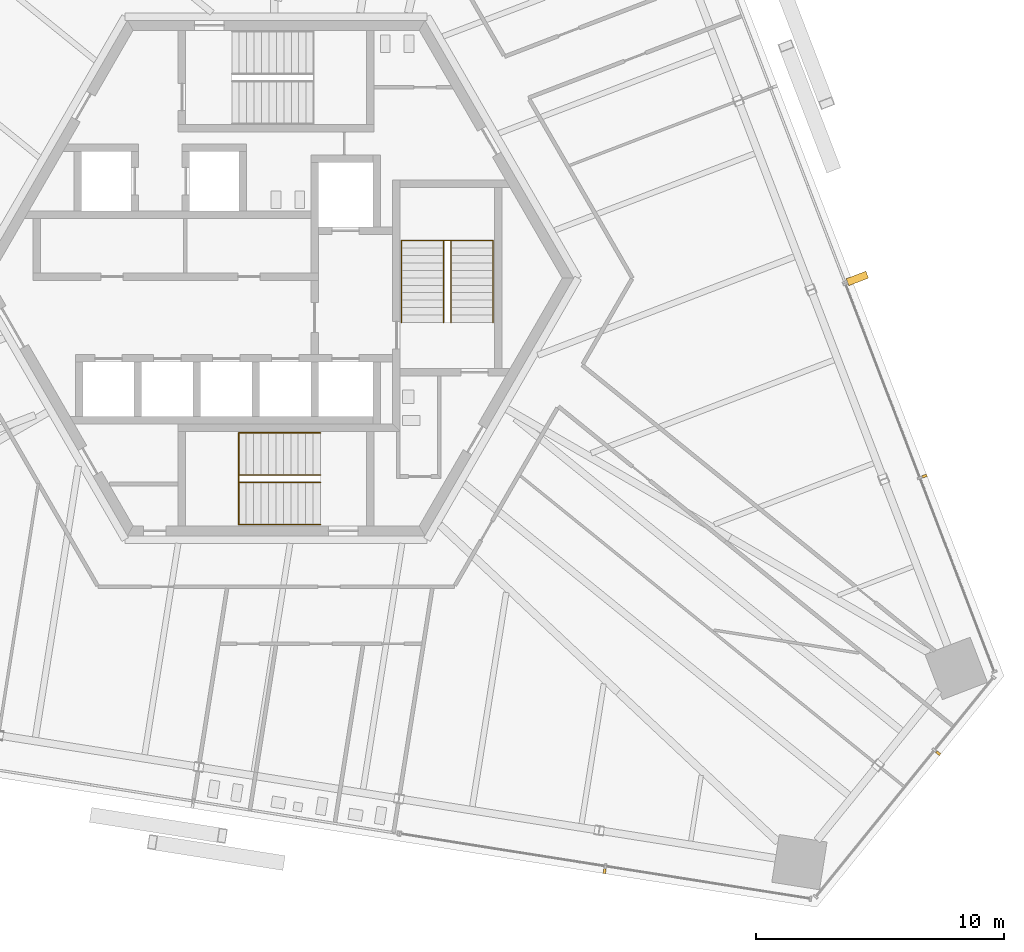
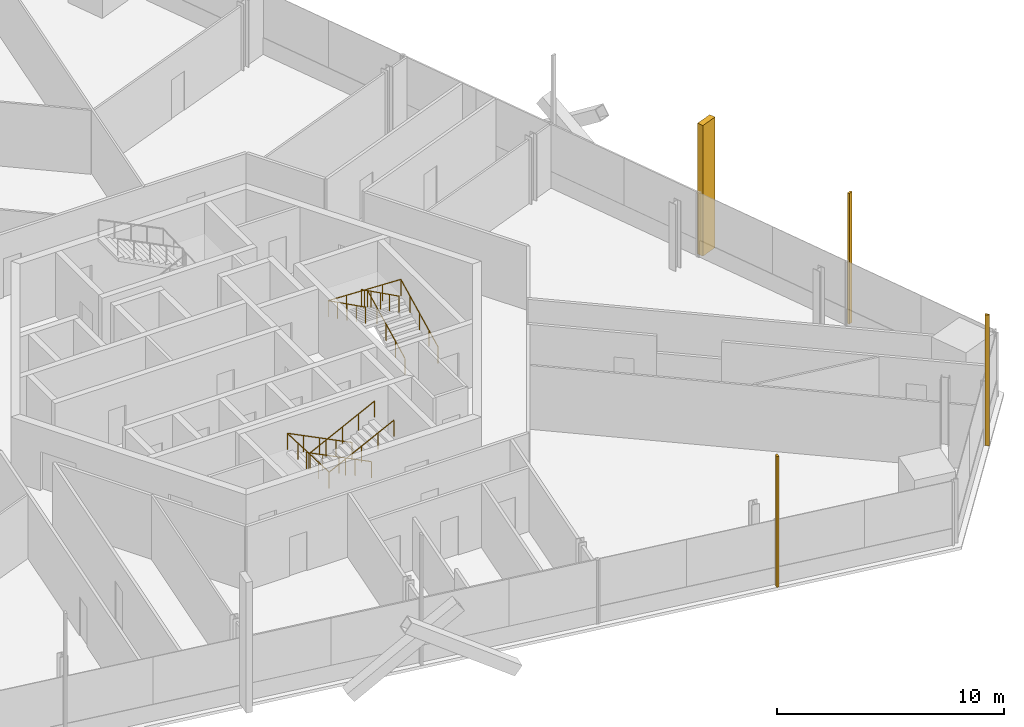
# One storey, part 17 of 22: 4 railings, 4 shading devices.
"""IFC4 building model written with IfcOpenShell, lengths in metres."""

from ifc_helpers import new_model, si_unit, direction, frame, origin, origin_2d, place, context, subcontext, project, spatial, rectangle, circle, extrude, source, transform, mapped, material, type_object, element, save


model = new_model("IFC4")

# Units and contexts
model_context = context("Model", 3, precision=1e-05, world=origin(), true_north=direction((0.0, 1.0)))
body_context = subcontext(model_context, "Body", "Model", "MODEL_VIEW")
ifc_project = project(units=[si_unit("LENGTHUNIT", "METRE"), si_unit("AREAUNIT", "SQUARE_METRE"), si_unit("VOLUMEUNIT", "CUBIC_METRE"), si_unit("PLANEANGLEUNIT", "RADIAN"), si_unit("MASSUNIT", "GRAM", prefix="KILO")], contexts=[model_context])

# Site, building, storey
site_placement = place(None, origin())
site = spatial("IfcSite", under=ifc_project, at=site_placement, CompositionType="ELEMENT")
building_placement = place(site_placement, origin())
building = spatial("IfcBuilding", under=site, at=building_placement, Name="Triune Harvest Tower", CompositionType="ELEMENT")
storey_placement = place(building_placement, frame((0.0, 0.0, 153.300048828125)))
storey = spatial("IfcBuildingStorey", under=building, at=storey_placement, Name="L39", CompositionType="ELEMENT", Elevation=153.300048828125)

# Railings
ifc_material_1 = material(Name="Stainless steel AISI 316", Category="steel")
railing_type = type_object("IfcRailingType", Name="Stair handrail", PredefinedType="HANDRAIL", material=ifc_material_1)
shared_shape_1 = source(origin(), body_context, "Body", "SweptSolid", [
    extrude(circle(Radius=0.02392578125, at=origin_2d()), frame((0.0, 0.0, 0.8759765625), z_axis=(-0.894413956696, 0.0, 0.447240063129), x_axis=(0.0, -1.0, 0.0)), (0.0, 0.0, 1.0), 3.689697265625),
    extrude(circle(Radius=0.02392578125, at=origin_2d()), frame((-3.300048828125, 0.0, 2.52587890625), z_axis=(0.0, -0.999180289278, 0.040481471304), x_axis=(1.0, 0.0, 0.0)), (0.0, 0.0, 1.0), 3.702880859375),
    extrude(circle(Radius=0.02392578125, at=origin_2d()), frame((-3.300048828125, -3.699951171875, 2.67578125), z_axis=(0.894440424912, 0.0, 0.447187126696), x_axis=(0.0, 1.0, 0.0)), (0.0, 0.0, 1.0), 3.689453125),
    extrude(circle(Radius=0.02099609375, at=origin_2d()), origin(), (0.0, 0.0, 1.0), 0.851806640625),
    extrude(circle(Radius=0.02099609375, at=origin_2d()), frame((-0.824951171875, 0.0, 0.41259765625)), (0.0, 0.0, 1.0), 0.851806640625),
    extrude(circle(Radius=0.02099609375, at=origin_2d()), frame((-1.64990234375, 0.0, 0.8251953125)), (0.0, 0.0, 1.0), 0.851806640625),
    extrude(circle(Radius=0.02099609375, at=origin_2d()), frame((-2.47509765625, 0.0, 1.237548828125)), (0.0, 0.0, 1.0), 0.851806640625),
    extrude(circle(Radius=0.02099609375, at=origin_2d()), frame((-3.300048828125, 0.0, 1.650146484375)), (0.0, 0.0, 1.0), 0.851806640625),
    extrude(circle(Radius=0.02099609375, at=origin_2d()), frame((-3.300048828125, -0.925048828125, 1.6875)), (0.0, 0.0, 1.0), 0.851806640625),
    extrude(circle(Radius=0.02099609375, at=origin_2d()), frame((-3.300048828125, -1.85009765625, 1.72509765625)), (0.0, 0.0, 1.0), 0.851806640625),
    extrude(circle(Radius=0.02099609375, at=origin_2d()), frame((-3.300048828125, -2.77490234375, 1.7626953125)), (0.0, 0.0, 1.0), 0.851806640625),
    extrude(circle(Radius=0.02099609375, at=origin_2d()), frame((-3.300048828125, -3.699951171875, 1.800048828125)), (0.0, 0.0, 1.0), 0.851806640625),
    extrude(circle(Radius=0.02099609375, at=origin_2d()), frame((-2.47509765625, -3.699951171875, 2.21240234375)), (0.0, 0.0, 1.0), 0.851806640625),
    extrude(circle(Radius=0.02099609375, at=origin_2d()), frame((-1.64990234375, -3.699951171875, 2.625)), (0.0, 0.0, 1.0), 0.851806640625),
    extrude(circle(Radius=0.02099609375, at=origin_2d()), frame((-0.824951171875, -3.699951171875, 3.03759765625)), (0.0, 0.0, 1.0), 0.851806640625),
    extrude(circle(Radius=0.02099609375, at=origin_2d()), frame((0.0, -3.699951171875, 3.449951171875)), (0.0, 0.0, 1.0), 0.851806640625),
])
railing_1_placement = place(storey_placement, frame((1.7900390625, -6.239990234375, 0.14990234375)))
element("IfcRailing", 1, at=railing_1_placement, inside=storey, type_object=railing_type, Name="Exit stair south wall handrail", PredefinedType="HANDRAIL", context=body_context, shape_type="MappedRepresentation", body=[
    mapped(shared_shape_1, transform((0.0, 0.0, 0.0), scale=1.0)),
])
shared_shape_2 = source(origin(), body_context, "Body", "SweptSolid", [
    extrude(circle(Radius=0.02392578125, at=origin_2d()), frame((0.0, 0.0, 0.8759765625), z_axis=(-0.894413956696, 0.0, 0.447240063129), x_axis=(0.0, -1.0, 0.0)), (0.0, 0.0, 1.0), 3.689697265625),
    extrude(circle(Radius=0.02392578125, at=origin_2d()), frame((-3.300048828125, 0.0, 2.52587890625), z_axis=(0.0, -0.894572720946, 0.446922417137), x_axis=(1.0, 0.0, 0.0)), (0.0, 0.0, 1.0), 0.33544921875),
    extrude(circle(Radius=0.02392578125, at=origin_2d()), frame((-3.300048828125, -0.300048828125, 2.67578125), z_axis=(0.894440424912, 0.0, 0.447187126696), x_axis=(0.0, 1.0, 0.0)), (0.0, 0.0, 1.0), 3.689453125),
    extrude(circle(Radius=0.02099609375, at=origin_2d()), origin(), (0.0, 0.0, 1.0), 0.851806640625),
    extrude(circle(Radius=0.02099609375, at=origin_2d()), frame((-0.824951171875, 0.0, 0.41259765625)), (0.0, 0.0, 1.0), 0.851806640625),
    extrude(circle(Radius=0.02099609375, at=origin_2d()), frame((-1.64990234375, 0.0, 0.8251953125)), (0.0, 0.0, 1.0), 0.851806640625),
    extrude(circle(Radius=0.02099609375, at=origin_2d()), frame((-2.47509765625, 0.0, 1.237548828125)), (0.0, 0.0, 1.0), 0.851806640625),
    extrude(circle(Radius=0.02099609375, at=origin_2d()), frame((-3.300048828125, 0.0, 1.650146484375)), (0.0, 0.0, 1.0), 0.851806640625),
    extrude(circle(Radius=0.02099609375, at=origin_2d()), frame((-3.300048828125, -0.300048828125, 1.800048828125)), (0.0, 0.0, 1.0), 0.851806640625),
    extrude(circle(Radius=0.02099609375, at=origin_2d()), frame((-2.47509765625, -0.300048828125, 2.21240234375)), (0.0, 0.0, 1.0), 0.851806640625),
    extrude(circle(Radius=0.02099609375, at=origin_2d()), frame((-1.64990234375, -0.300048828125, 2.625)), (0.0, 0.0, 1.0), 0.851806640625),
    extrude(circle(Radius=0.02099609375, at=origin_2d()), frame((-0.824951171875, -0.300048828125, 3.03759765625)), (0.0, 0.0, 1.0), 0.851806640625),
    extrude(circle(Radius=0.02099609375, at=origin_2d()), frame((0.0, -0.300048828125, 3.449951171875)), (0.0, 0.0, 1.0), 0.851806640625),
])
railing_2_placement = place(storey_placement, frame((1.7900390625, -7.93994140625, 0.14990234375)))
element("IfcRailing", 2, at=railing_2_placement, inside=storey, type_object=railing_type, Name="Exit stair south centre handrail", PredefinedType="HANDRAIL", context=body_context, shape_type="MappedRepresentation", body=[
    mapped(shared_shape_2, transform((0.0, 0.0, 0.0), scale=1.0)),
])
shared_shape_3 = source(origin(), body_context, "Body", "SweptSolid", [
    extrude(circle(Radius=0.02392578125, at=origin_2d()), frame((0.0, 0.0, 0.8759765625), z_axis=(0.0, 0.894413956696, 0.447240063129), x_axis=(-1.0, 0.0, 0.0)), (0.0, 0.0, 1.0), 3.689697265625),
    extrude(circle(Radius=0.02392578125, at=origin_2d()), frame((0.0, 3.300048828125, 2.52587890625), z_axis=(-0.999180289278, 0.0, 0.040481471304), x_axis=(0.0, -1.0, 0.0)), (0.0, 0.0, 1.0), 3.702880859375),
    extrude(circle(Radius=0.02392578125, at=origin_2d()), frame((-3.699951171875, 3.300048828125, 2.67578125), z_axis=(0.0, -0.894440424912, 0.447187126696), x_axis=(1.0, 0.0, 0.0)), (0.0, 0.0, 1.0), 3.689453125),
    extrude(circle(Radius=0.02099609375, at=origin_2d()), origin(), (0.0, 0.0, 1.0), 0.851806640625),
    extrude(circle(Radius=0.02099609375, at=origin_2d()), frame((0.0, 0.824951171875, 0.41259765625)), (0.0, 0.0, 1.0), 0.851806640625),
    extrude(circle(Radius=0.02099609375, at=origin_2d()), frame((0.0, 1.64990234375, 0.8251953125)), (0.0, 0.0, 1.0), 0.851806640625),
    extrude(circle(Radius=0.02099609375, at=origin_2d()), frame((0.0, 2.47509765625, 1.237548828125)), (0.0, 0.0, 1.0), 0.851806640625),
    extrude(circle(Radius=0.02099609375, at=origin_2d()), frame((0.0, 3.300048828125, 1.650146484375)), (0.0, 0.0, 1.0), 0.851806640625),
    extrude(circle(Radius=0.02099609375, at=origin_2d()), frame((-0.925048828125, 3.300048828125, 1.6875)), (0.0, 0.0, 1.0), 0.851806640625),
    extrude(circle(Radius=0.02099609375, at=origin_2d()), frame((-1.85009765625, 3.300048828125, 1.72509765625)), (0.0, 0.0, 1.0), 0.851806640625),
    extrude(circle(Radius=0.02099609375, at=origin_2d()), frame((-2.77490234375, 3.300048828125, 1.7626953125)), (0.0, 0.0, 1.0), 0.851806640625),
    extrude(circle(Radius=0.02099609375, at=origin_2d()), frame((-3.699951171875, 3.300048828125, 1.800048828125)), (0.0, 0.0, 1.0), 0.851806640625),
    extrude(circle(Radius=0.02099609375, at=origin_2d()), frame((-3.699951171875, 2.47509765625, 2.21240234375)), (0.0, 0.0, 1.0), 0.851806640625),
    extrude(circle(Radius=0.02099609375, at=origin_2d()), frame((-3.699951171875, 1.64990234375, 2.625)), (0.0, 0.0, 1.0), 0.851806640625),
    extrude(circle(Radius=0.02099609375, at=origin_2d()), frame((-3.699951171875, 0.824951171875, 3.03759765625)), (0.0, 0.0, 1.0), 0.851806640625),
    extrude(circle(Radius=0.02099609375, at=origin_2d()), frame((-3.699951171875, 0.0, 3.449951171875)), (0.0, 0.0, 1.0), 0.851806640625),
])
railing_3_placement = place(storey_placement, frame((8.75, -1.7900390625, 0.14990234375)))
element("IfcRailing", 3, at=railing_3_placement, inside=storey, type_object=railing_type, Name="Exit stair east wall handrail", PredefinedType="HANDRAIL", context=body_context, shape_type="MappedRepresentation", body=[
    mapped(shared_shape_3, transform((0.0, 0.0, 0.0), scale=1.0)),
])
shared_shape_4 = source(origin(), body_context, "Body", "SweptSolid", [
    extrude(circle(Radius=0.02392578125, at=origin_2d()), frame((0.0, 0.0, 0.8759765625), z_axis=(0.0, 0.894413956696, 0.447240063129), x_axis=(-1.0, 0.0, 0.0)), (0.0, 0.0, 1.0), 3.689697265625),
    extrude(circle(Radius=0.02392578125, at=origin_2d()), frame((0.0, 3.300048828125, 2.52587890625), z_axis=(-0.894572720946, 0.0, 0.446922417137), x_axis=(0.0, -1.0, 0.0)), (0.0, 0.0, 1.0), 0.33544921875),
    extrude(circle(Radius=0.02392578125, at=origin_2d()), frame((-0.300048828125, 3.300048828125, 2.67578125), z_axis=(0.0, -0.894440424912, 0.447187126696), x_axis=(1.0, 0.0, 0.0)), (0.0, 0.0, 1.0), 3.689453125),
    extrude(circle(Radius=0.02099609375, at=origin_2d()), origin(), (0.0, 0.0, 1.0), 0.851806640625),
    extrude(circle(Radius=0.02099609375, at=origin_2d()), frame((0.0, 0.824951171875, 0.41259765625)), (0.0, 0.0, 1.0), 0.851806640625),
    extrude(circle(Radius=0.02099609375, at=origin_2d()), frame((0.0, 1.64990234375, 0.8251953125)), (0.0, 0.0, 1.0), 0.851806640625),
    extrude(circle(Radius=0.02099609375, at=origin_2d()), frame((0.0, 2.47509765625, 1.237548828125)), (0.0, 0.0, 1.0), 0.851806640625),
    extrude(circle(Radius=0.02099609375, at=origin_2d()), frame((0.0, 3.300048828125, 1.650146484375)), (0.0, 0.0, 1.0), 0.851806640625),
    extrude(circle(Radius=0.02099609375, at=origin_2d()), frame((-0.300048828125, 3.300048828125, 1.800048828125)), (0.0, 0.0, 1.0), 0.851806640625),
    extrude(circle(Radius=0.02099609375, at=origin_2d()), frame((-0.300048828125, 2.47509765625, 2.21240234375)), (0.0, 0.0, 1.0), 0.851806640625),
    extrude(circle(Radius=0.02099609375, at=origin_2d()), frame((-0.300048828125, 1.64990234375, 2.625)), (0.0, 0.0, 1.0), 0.851806640625),
    extrude(circle(Radius=0.02099609375, at=origin_2d()), frame((-0.300048828125, 0.824951171875, 3.03759765625)), (0.0, 0.0, 1.0), 0.851806640625),
    extrude(circle(Radius=0.02099609375, at=origin_2d()), frame((-0.300048828125, 0.0, 3.449951171875)), (0.0, 0.0, 1.0), 0.851806640625),
])
railing_4_placement = place(storey_placement, frame((7.050048828125, -1.7900390625, 0.14990234375)))
element("IfcRailing", 4, at=railing_4_placement, inside=storey, type_object=railing_type, Name="Exit stair east centre handrail", PredefinedType="HANDRAIL", context=body_context, shape_type="MappedRepresentation", body=[
    mapped(shared_shape_4, transform((0.0, 0.0, 0.0), scale=1.0)),
])

# Shading devices
ifc_material_2 = material(Name="Aluminium bronze anodised", Category="aluminium")
shared_shape_5 = source(origin(), body_context, "Body", "SweptSolid", [
    extrude(rectangle(XDim=0.10009765625, YDim=0.199951171875, at=origin_2d()), origin(), (0.0, 0.0, 1.0), 7.0400390625),
])
for number, where, z_axis, x_axis, name in (
    (5, (26.148681640625, -7.98388671875, 0.0), (0.0, 0.0, 1.0), (-0.35836927228, 0.933579918746, 0.0), "FN-1 fin B4-F1.3 L39"),
    (6, (13.24609375, -23.917236328125, 0.0), (0.0, 0.0, 1.0), (0.987688259912, -0.156434974453, 0.0), "FN-1 fin B4-F5.11 L39"),
    (7, (26.700927734375, -19.1611328125, 0.0), (0.0, 0.0, 1.0), (0.629320905414, 0.777145544932, 0.0), "FN-1 fin B4-F6.3 L39"),
):
    element("IfcShadingDevice", number, at=place(storey_placement, frame(where, z_axis=z_axis, x_axis=x_axis)), inside=storey, material=ifc_material_2, Name=name, ObjectType="FIN", PredefinedType="USERDEFINED", context=body_context, shape_type="MappedRepresentation", body=[
        mapped(shared_shape_5, transform((0.0, 0.0, 0.0), scale=1.0)),
    ])
shared_shape_6 = source(origin(), body_context, "Body", "SweptSolid", [
    extrude(rectangle(XDim=0.300048828125, YDim=0.85009765625, at=origin_2d()), origin(), (0.0, 0.0, 1.0), 7.0400390625),
])
shading_device_placement = place(storey_placement, frame((23.4375, -0.013916015625, 0.0), z_axis=(0.0, 0.0, 1.0), x_axis=(-0.35836927228, 0.933579918746, 0.0)))
element("IfcShadingDevice", 8, at=shading_device_placement, inside=storey, material=ifc_material_2, Name="FN-2 fin B4-F1.5 L39", ObjectType="FIN", PredefinedType="USERDEFINED", context=body_context, shape_type="MappedRepresentation", body=[
    mapped(shared_shape_6, transform((0.0, 0.0, 0.0), scale=1.0)),
])

save(model, "model.ifc")
